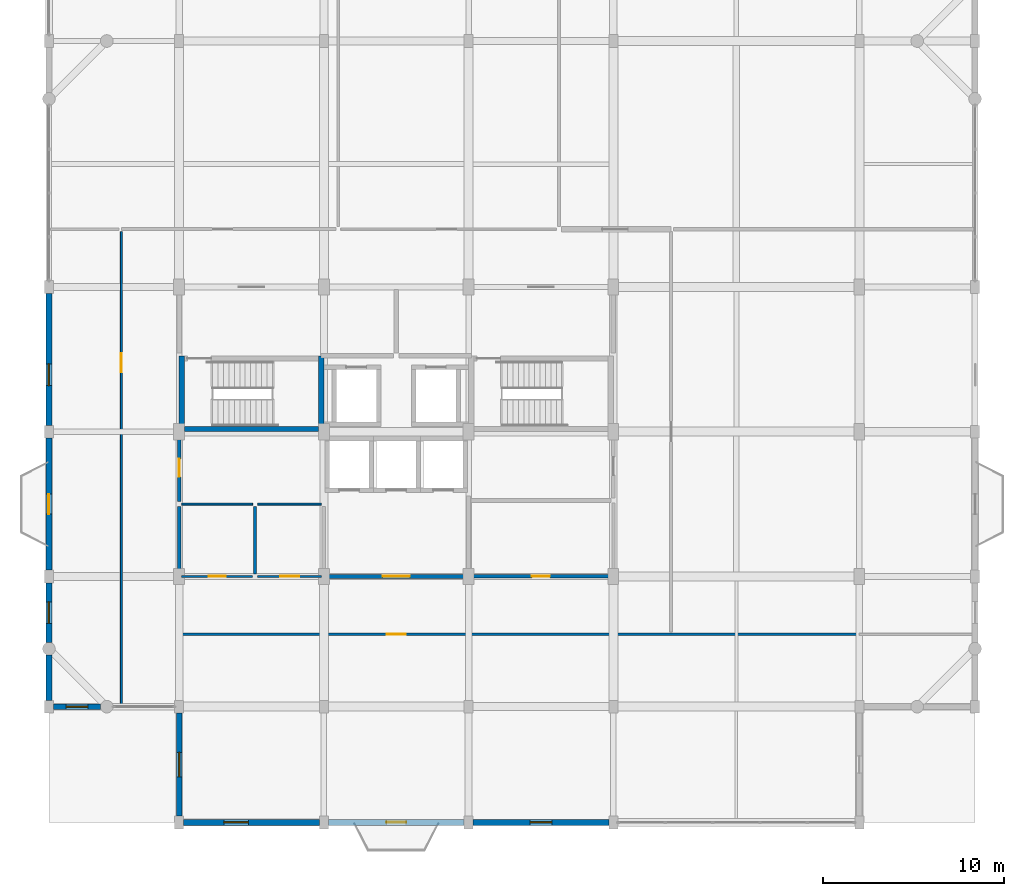
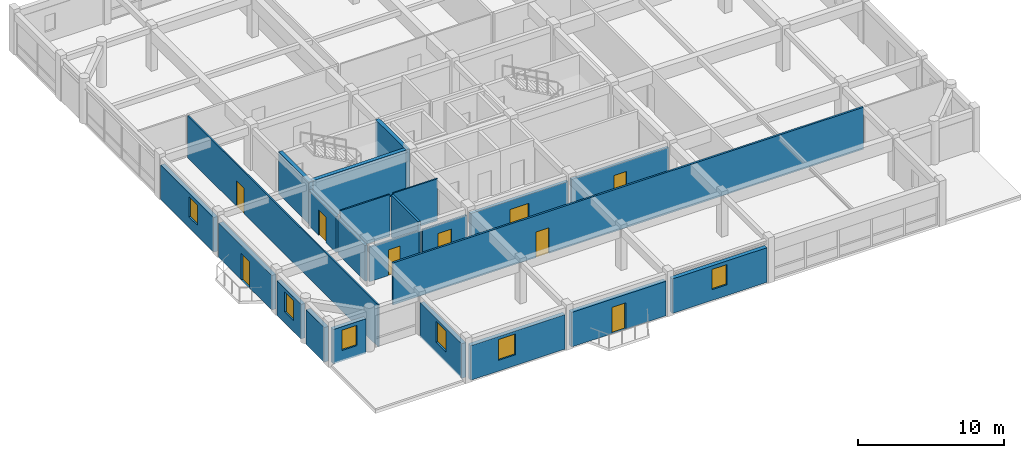
# One storey, part 10 of 14: 23 walls, 9 doors, 6 windows, 15 openings.
"""IFC4 building model written with IfcOpenShell, lengths in metres."""

from ifc_helpers import new_model, si_unit, direction, frame, frame_2d, origin, place, context, subcontext, project, spatial, rectangle, extrude, material, layer, layer_set, type_object, element, fill, save


model = new_model("IFC4")

# Units and contexts
model_context = context("Model", 3, precision=1e-05, world=origin(), true_north=direction((0.0, 1.0)))
body_context = subcontext(model_context, "Body", "Model", "MODEL_VIEW")
ifc_project = project(units=[si_unit("LENGTHUNIT", "METRE"), si_unit("AREAUNIT", "SQUARE_METRE"), si_unit("VOLUMEUNIT", "CUBIC_METRE"), si_unit("PLANEANGLEUNIT", "RADIAN"), si_unit("MASSUNIT", "GRAM", prefix="KILO")], contexts=[model_context])

# Site, building, storey
site_placement = place(None, origin())
site = spatial("IfcSite", under=ifc_project, at=site_placement, CompositionType="ELEMENT")
building_placement = place(site_placement, origin())
building = spatial("IfcBuilding", under=site, at=building_placement, Name="Vellmiral Cinema and Media Centre", CompositionType="ELEMENT")
storey_placement = place(building_placement, frame((0.0, 0.0, 47.10009765625)))
storey = spatial("IfcBuildingStorey", under=building, at=storey_placement, Name="L11", CompositionType="ELEMENT", Elevation=47.10009765625)

# Wall, opening, door
ifc_material_1 = material(Name="Concrete C40/50", Category="concrete")
ifc_layer_1 = layer(ifc_material_1, 0.2099609375, Name="Concrete C40/50")
ifc_layer_set_1 = layer_set([ifc_layer_1], Name="Concrete C40/50")
wall_type_1 = type_object("IfcWallType", Name="WL-COMP-210", PredefinedType="SOLIDWALL", material=ifc_layer_set_1)
wall_1_placement = place(storey_placement, frame((124.0, 83.340087890625, 0.0), z_axis=(0.0, 0.0, 1.0), x_axis=(0.0, 1.0, 0.0)))
wall_1 = element("IfcWall", 1, at=wall_1_placement, inside=storey, type_object=wall_type_1, Name="Electrical and Telecom Riser Room Wall W", PredefinedType="SOLIDWALL", context=body_context, shape_type="SweptSolid", body=[
    extrude(rectangle(XDim=3.719970703125, YDim=0.2099609375, at=frame_2d((1.85986328125, 0.0))), origin(), (0.0, 0.0, 1.0), 2.994873046875),
])
opening_1_placement = place(wall_1_placement, frame((1.360107421875, 0.0, 0.0)))
opening_1 = element("IfcOpeningElement", 2, at=opening_1_placement, cuts=wall_1, Name="Opening D-FD30B", PredefinedType="OPENING", context=body_context, shape_type="SweptSolid", body=[
    extrude(rectangle(XDim=1.0, YDim=2.14990234375, at=frame_2d((0.5, 1.074951171875))), frame((0.0, 0.116943359375, 0.0), z_axis=(0.0, -1.0, 0.0), x_axis=(1.0, 0.0, 0.0)), (0.0, 0.0, 1.0), 0.23388671875),
])
ifc_material_2 = material(Name="Steel Riser Fire Door", Category="steel")
door_type_1 = type_object("IfcDoorType", Name="DR-FD30-1000x2150", OperationType="NOTDEFINED", PredefinedType="DOOR", material=ifc_material_2)
door_1_placement = place(opening_1_placement, frame((1.0, 0.0, 0.0), z_axis=(0.0, 0.0, 1.0), x_axis=(-1.0, 0.0, 0.0)))
door_1 = element("IfcDoor", 3, at=door_1_placement, inside=storey, type_object=door_type_1, Name="Electrical and Telecom Riser Room Door", OperationType="SINGLE_SWING_LEFT", OverallHeight=2.14990234375, OverallWidth=1.0, PredefinedType="DOOR", context=body_context, shape_type="SweptSolid", body=[
    extrude(rectangle(XDim=1.0, YDim=2.14990234375, at=frame_2d((0.5, 1.074951171875))), frame((0.0, 0.02490234375, 0.0), z_axis=(0.0, -1.0, 0.0), x_axis=(1.0, 0.0, 0.0)), (0.0, 0.0, 1.0), 0.050048828125),
])
fill(opening_1, door_1)

# Walls
ifc_material_3 = material(Name="Concrete C40/50", Category="concrete")
ifc_layer_2 = layer(ifc_material_3, 0.300048828125, Name="Concrete C40/50")
ifc_layer_set_2 = layer_set([ifc_layer_2], Name="Concrete C40/50")
wall_type_2 = type_object("IfcWallType", Name="WL-CORE-300", PredefinedType="SHEAR", material=ifc_layer_set_2)
for number, where, z_axis, x_axis, name in (
    (4, (124.14990234375, 87.199951171875, 0.0), (0.0, 0.0, 1.0), (0.0, 1.0, 0.0), "Stair Core Wall ST-T1 L11-W"),
    (5, (131.85009765625, 87.199951171875, 0.0), (0.0, 0.0, 1.0), (0.0, 1.0, 0.0), "Stair Core Wall ST-T1 L11-E"),
):
    element("IfcWall", number, at=place(storey_placement, frame(where, z_axis=z_axis, x_axis=x_axis)), inside=storey, type_object=wall_type_2, Name=name, PredefinedType="SHEAR", context=body_context, shape_type="SweptSolid", body=[
        extrude(rectangle(XDim=4.199951171875, YDim=0.300048828125, at=frame_2d((2.10009765625, 0.0))), origin(), (0.0, 0.0, 1.0), 3.52001953125),
    ])
wall_2_placement = place(storey_placement, frame((124.300048828125, 87.35009765625, 0.0), z_axis=(0.0, 0.0, 1.0), x_axis=(1.0, 0.0, 0.0)))
element("IfcWall", 6, at=wall_2_placement, inside=storey, type_object=wall_type_2, Name="Stair Core Wall ST-T1 L11-S", PredefinedType="SHEAR", context=body_context, shape_type="SweptSolid", body=[
    extrude(rectangle(XDim=7.39990234375, YDim=0.300048828125, at=frame_2d((3.699951171875, 0.0))), origin(), (0.0, 0.0, 1.0), 3.52001953125),
])

# Wall, opening, window
ifc_material_4 = material(Name="Polychrome Glazed Ceramic Cladding", Category="masonry")
ifc_layer_3 = layer(ifc_material_4, 0.320068359375, Name="Polychrome Glazed Ceramic Cladding")
ifc_layer_set_3 = layer_set([ifc_layer_3], Name="Polychrome Glazed Ceramic Cladding")
wall_type_3 = type_object("IfcWallType", Name="WL-EXT-BRICK-320", PredefinedType="SOLIDWALL", material=ifc_layer_set_3)
wall_3_placement = place(storey_placement, frame((124.25, 65.60009765625, 0.0), z_axis=(0.0, 0.0, 1.0), x_axis=(1.0, 0.0, 0.0)))
wall_3 = element("IfcWall", 7, at=wall_3_placement, inside=storey, type_object=wall_type_3, Name="Exterior Facade Wall L11-001", PredefinedType="SOLIDWALL", context=body_context, shape_type="SweptSolid", body=[
    extrude(rectangle(XDim=7.5, YDim=0.320068359375, at=frame_2d((3.75, 0.0))), origin(), (0.0, 0.0, 1.0), 2.89990234375),
])
opening_2_placement = place(wall_3_placement, frame((2.22509765625, 0.0, 0.89990234375)))
opening_2 = element("IfcOpeningElement", 8, at=opening_2_placement, cuts=wall_3, Name="Opening WN-08", PredefinedType="OPENING", context=body_context, shape_type="SweptSolid", body=[
    extrude(rectangle(XDim=1.35009765625, YDim=1.75, at=frame_2d((0.675048828125, 0.875))), frame((0.0, 0.171875, 0.0), z_axis=(0.0, -1.0, 0.0), x_axis=(1.0, 0.0, 0.0)), (0.0, 0.0, 1.0), 0.343994140625),
])
ifc_material_5 = material(Name="Thermally Broken Aluminium Triple Glazing", Category="aluminium")
window_type_1 = type_object("IfcWindowType", Name="WN-1350x1750", PartitioningType="SINGLE_PANEL", PredefinedType="WINDOW", material=ifc_material_5)
window_1_placement = place(opening_2_placement, origin())
window_1 = element("IfcWindow", 9, at=window_1_placement, inside=storey, type_object=window_type_1, Name="Window L11-001", OverallHeight=1.75, OverallWidth=1.35009765625, PartitioningType="SINGLE_PANEL", PredefinedType="WINDOW", context=body_context, shape_type="SweptSolid", body=[
    extrude(rectangle(XDim=1.35009765625, YDim=1.75, at=frame_2d((0.675048828125, 0.875))), frame((0.0, 0.030029296875, 0.0), z_axis=(0.0, -1.0, 0.0), x_axis=(1.0, 0.0, 0.0)), (0.0, 0.0, 1.0), 0.06005859375),
])
fill(opening_2, window_1)

wall_4_placement = place(storey_placement, frame((140.25, 65.60009765625, 0.0), z_axis=(0.0, 0.0, 1.0), x_axis=(1.0, 0.0, 0.0)))
wall_4 = element("IfcWall", 10, at=wall_4_placement, inside=storey, type_object=wall_type_3, Name="Exterior Facade Wall L11-003", PredefinedType="SOLIDWALL", context=body_context, shape_type="SweptSolid", body=[
    extrude(rectangle(XDim=7.5, YDim=0.320068359375, at=frame_2d((3.75, 0.0))), origin(), (0.0, 0.0, 1.0), 2.89990234375),
])
opening_3_placement = place(wall_4_placement, frame((3.14990234375, 0.0, 0.89990234375)))
opening_3 = element("IfcOpeningElement", 11, at=opening_3_placement, cuts=wall_4, Name="Opening WN-10", PredefinedType="OPENING", context=body_context, shape_type="SweptSolid", body=[
    extrude(rectangle(XDim=1.199951171875, YDim=1.699951171875, at=frame_2d((0.60009765625, 0.85009765625))), frame((0.0, 0.171875, 0.0), z_axis=(0.0, -1.0, 0.0), x_axis=(1.0, 0.0, 0.0)), (0.0, 0.0, 1.0), 0.343994140625),
])
ifc_material_6 = material(Name="Thermally Broken Aluminium Triple Glazing", Category="aluminium")
window_type_2 = type_object("IfcWindowType", Name="WN-1200x1700", PartitioningType="SINGLE_PANEL", PredefinedType="WINDOW", material=ifc_material_6)
window_2_placement = place(opening_3_placement, origin())
window_2 = element("IfcWindow", 12, at=window_2_placement, inside=storey, type_object=window_type_2, Name="Window L11-003", OverallHeight=1.699951171875, OverallWidth=1.199951171875, PartitioningType="SINGLE_PANEL", PredefinedType="WINDOW", context=body_context, shape_type="SweptSolid", body=[
    extrude(rectangle(XDim=1.199951171875, YDim=1.699951171875, at=frame_2d((0.60009765625, 0.85009765625))), frame((0.0, 0.030029296875, 0.0), z_axis=(0.0, -1.0, 0.0), x_axis=(1.0, 0.0, 0.0)), (0.0, 0.0, 1.0), 0.06005859375),
])
fill(opening_3, window_2)

wall_5_placement = place(storey_placement, frame((116.800048828125, 94.85009765625, 0.0), z_axis=(0.0, 0.0, 1.0), x_axis=(0.0, -1.0, 0.0)))
wall_5 = element("IfcWall", 13, at=wall_5_placement, inside=storey, type_object=wall_type_3, Name="Exterior Facade Wall L11-025", PredefinedType="SOLIDWALL", context=body_context, shape_type="SweptSolid", body=[
    extrude(rectangle(XDim=7.300048828125, YDim=0.320068359375, at=frame_2d((3.64990234375, 0.0))), origin(), (0.0, 0.0, 1.0), 2.89990234375),
])
opening_4_placement = place(wall_5_placement, frame((3.89990234375, 0.0, 0.89990234375)))
opening_4 = element("IfcOpeningElement", 14, at=opening_4_placement, cuts=wall_5, Name="Opening WN-10", PredefinedType="OPENING", context=body_context, shape_type="SweptSolid", body=[
    extrude(rectangle(XDim=1.199951171875, YDim=1.699951171875, at=frame_2d((0.60009765625, 0.85009765625))), frame((0.0, 0.171875, 0.0), z_axis=(0.0, -1.0, 0.0), x_axis=(1.0, 0.0, 0.0)), (0.0, 0.0, 1.0), 0.343994140625),
])
window_3_placement = place(opening_4_placement, origin())
window_3 = element("IfcWindow", 15, at=window_3_placement, inside=storey, type_object=window_type_2, Name="Window L11-025", OverallHeight=1.699951171875, OverallWidth=1.199951171875, PartitioningType="SINGLE_PANEL", PredefinedType="WINDOW", context=body_context, shape_type="SweptSolid", body=[
    extrude(rectangle(XDim=1.199951171875, YDim=1.699951171875, at=frame_2d((0.60009765625, 0.85009765625))), frame((0.0, 0.030029296875, 0.0), z_axis=(0.0, -1.0, 0.0), x_axis=(1.0, 0.0, 0.0)), (0.0, 0.0, 1.0), 0.06005859375),
])
fill(opening_4, window_3)

wall_6_placement = place(storey_placement, frame((116.800048828125, 78.85009765625, 0.0), z_axis=(0.0, 0.0, 1.0), x_axis=(0.0, -1.0, 0.0)))
wall_6 = element("IfcWall", 16, at=wall_6_placement, inside=storey, type_object=wall_type_3, Name="Exterior Facade Wall L11-027", PredefinedType="SOLIDWALL", context=body_context, shape_type="SweptSolid", body=[
    extrude(rectangle(XDim=3.300048828125, YDim=0.320068359375, at=frame_2d((1.64990234375, 0.0))), origin(), (0.0, 0.0, 1.0), 2.89990234375),
])
opening_5_placement = place(wall_6_placement, frame((1.050048828125, 0.0, 0.89990234375)))
opening_5 = element("IfcOpeningElement", 17, at=opening_5_placement, cuts=wall_6, Name="Opening WN-10", PredefinedType="OPENING", context=body_context, shape_type="SweptSolid", body=[
    extrude(rectangle(XDim=1.199951171875, YDim=1.699951171875, at=frame_2d((0.60009765625, 0.85009765625))), frame((0.0, 0.171875, 0.0), z_axis=(0.0, -1.0, 0.0), x_axis=(1.0, 0.0, 0.0)), (0.0, 0.0, 1.0), 0.343994140625),
])
window_4_placement = place(opening_5_placement, origin())
window_4 = element("IfcWindow", 18, at=window_4_placement, inside=storey, type_object=window_type_2, Name="Window L11-027", OverallHeight=1.699951171875, OverallWidth=1.199951171875, PartitioningType="SINGLE_PANEL", PredefinedType="WINDOW", context=body_context, shape_type="SweptSolid", body=[
    extrude(rectangle(XDim=1.199951171875, YDim=1.699951171875, at=frame_2d((0.60009765625, 0.85009765625))), frame((0.0, 0.030029296875, 0.0), z_axis=(0.0, -1.0, 0.0), x_axis=(1.0, 0.0, 0.0)), (0.0, 0.0, 1.0), 0.06005859375),
])
fill(opening_5, window_4)

wall_7_placement = place(storey_placement, frame((117.050048828125, 72.0, 0.0), z_axis=(0.0, 0.0, 1.0), x_axis=(1.0, 0.0, 0.0)))
wall_7 = element("IfcWall", 19, at=wall_7_placement, inside=storey, type_object=wall_type_3, Name="Exterior Facade Wall L11-029", PredefinedType="SOLIDWALL", context=body_context, shape_type="SweptSolid", body=[
    extrude(rectangle(XDim=2.599853515625, YDim=0.320068359375, at=frame_2d((1.2998046875, 0.0))), origin(), (0.0, 0.0, 1.0), 2.89990234375),
])
opening_6_placement = place(wall_7_placement, frame((0.699951171875, 0.0, 0.89990234375)))
opening_6 = element("IfcOpeningElement", 20, at=opening_6_placement, cuts=wall_7, Name="Opening WN-10", PredefinedType="OPENING", context=body_context, shape_type="SweptSolid", body=[
    extrude(rectangle(XDim=1.199951171875, YDim=1.699951171875, at=frame_2d((0.60009765625, 0.85009765625))), frame((0.0, 0.171875, 0.0), z_axis=(0.0, -1.0, 0.0), x_axis=(1.0, 0.0, 0.0)), (0.0, 0.0, 1.0), 0.343994140625),
])
window_5_placement = place(opening_6_placement, origin())
window_5 = element("IfcWindow", 21, at=window_5_placement, inside=storey, type_object=window_type_2, Name="Window L11-029", OverallHeight=1.699951171875, OverallWidth=1.199951171875, PartitioningType="SINGLE_PANEL", PredefinedType="WINDOW", context=body_context, shape_type="SweptSolid", body=[
    extrude(rectangle(XDim=1.199951171875, YDim=1.699951171875, at=frame_2d((0.60009765625, 0.85009765625))), frame((0.0, 0.030029296875, 0.0), z_axis=(0.0, -1.0, 0.0), x_axis=(1.0, 0.0, 0.0)), (0.0, 0.0, 1.0), 0.06005859375),
])
fill(opening_6, window_5)

wall_8_placement = place(storey_placement, frame((124.0, 71.64990234375, 0.0), z_axis=(0.0, 0.0, 1.0), x_axis=(0.0, -1.0, 0.0)))
wall_8 = element("IfcWall", 22, at=wall_8_placement, inside=storey, type_object=wall_type_3, Name="Exterior Facade Wall L11-031", PredefinedType="SOLIDWALL", context=body_context, shape_type="SweptSolid", body=[
    extrude(rectangle(XDim=5.699951171875, YDim=0.320068359375, at=frame_2d((2.85009765625, 0.0))), origin(), (0.0, 0.0, 1.0), 2.89990234375),
])
opening_7_placement = place(wall_8_placement, frame((2.175048828125, 0.0, 0.89990234375)))
opening_7 = element("IfcOpeningElement", 23, at=opening_7_placement, cuts=wall_8, Name="Opening WN-08", PredefinedType="OPENING", context=body_context, shape_type="SweptSolid", body=[
    extrude(rectangle(XDim=1.35009765625, YDim=1.75, at=frame_2d((0.675048828125, 0.875))), frame((0.0, 0.171875, 0.0), z_axis=(0.0, -1.0, 0.0), x_axis=(1.0, 0.0, 0.0)), (0.0, 0.0, 1.0), 0.343994140625),
])
window_6_placement = place(opening_7_placement, origin())
window_6 = element("IfcWindow", 24, at=window_6_placement, inside=storey, type_object=window_type_1, Name="Window L11-031", OverallHeight=1.75, OverallWidth=1.35009765625, PartitioningType="SINGLE_PANEL", PredefinedType="WINDOW", context=body_context, shape_type="SweptSolid", body=[
    extrude(rectangle(XDim=1.35009765625, YDim=1.75, at=frame_2d((0.675048828125, 0.875))), frame((0.0, 0.030029296875, 0.0), z_axis=(0.0, -1.0, 0.0), x_axis=(1.0, 0.0, 0.0)), (0.0, 0.0, 1.0), 0.06005859375),
])
fill(opening_7, window_6)

# Wall, opening, door
ifc_material_7 = material(Name="Vosges Red Sandstone Masonry", Category="masonry")
ifc_layer_4 = layer(ifc_material_7, 0.340087890625, Name="Vosges Red Sandstone Masonry")
ifc_layer_set_4 = layer_set([ifc_layer_4], Name="Vosges Red Sandstone Masonry")
wall_type_4 = type_object("IfcWallType", Name="WL-EXT-SAND-340", PredefinedType="SOLIDWALL", material=ifc_layer_set_4)
wall_9_placement = place(storey_placement, frame((132.25, 65.60009765625, 0.0), z_axis=(0.0, 0.0, 1.0), x_axis=(1.0, 0.0, 0.0)))
wall_9 = element("IfcWall", 25, at=wall_9_placement, inside=storey, type_object=wall_type_4, Name="Exterior Facade Wall L11-002", PredefinedType="SOLIDWALL", context=body_context, shape_type="SweptSolid", body=[
    extrude(rectangle(XDim=7.5, YDim=0.340087890625, at=frame_2d((3.75, 0.0))), origin(), (0.0, 0.0, 1.0), 2.89990234375),
])
opening_8_placement = place(wall_9_placement, frame((3.199951171875, 0.0, 0.0)))
opening_8 = element("IfcOpeningElement", 26, at=opening_8_placement, cuts=wall_9, Name="Opening DE-06", PredefinedType="OPENING", context=body_context, shape_type="SweptSolid", body=[
    extrude(rectangle(XDim=1.10009765625, YDim=2.199951171875, at=frame_2d((0.550048828125, 1.10009765625))), frame((0.0, 0.18212890625, 0.0), z_axis=(0.0, -1.0, 0.0), x_axis=(1.0, 0.0, 0.0)), (0.0, 0.0, 1.0), 0.364013671875),
])
ifc_material_8 = material(Name="Thermally Broken Glazed Aluminium and Bronze Door", Category="aluminium")
door_type_2 = type_object("IfcDoorType", Name="DR-MIRA-1100x2200", OperationType="NOTDEFINED", PredefinedType="DOOR", material=ifc_material_8)
door_2_placement = place(opening_8_placement, frame((1.10009765625, 0.0, 0.0), z_axis=(0.0, 0.0, 1.0), x_axis=(-1.0, 0.0, 0.0)))
door_2 = element("IfcDoor", 27, at=door_2_placement, inside=storey, type_object=door_type_2, Name="Mirador Balcony Door L11-S", OperationType="SINGLE_SWING_RIGHT", OverallHeight=2.199951171875, OverallWidth=1.10009765625, PredefinedType="DOOR", context=body_context, shape_type="SweptSolid", body=[
    extrude(rectangle(XDim=1.10009765625, YDim=2.199951171875, at=frame_2d((0.550048828125, 1.10009765625))), frame((0.0, 0.02490234375, 0.0), z_axis=(0.0, -1.0, 0.0), x_axis=(1.0, 0.0, 0.0)), (0.0, 0.0, 1.0), 0.050048828125),
])
fill(opening_8, door_2)

wall_10_placement = place(storey_placement, frame((116.800048828125, 86.85009765625, 0.0), z_axis=(0.0, 0.0, 1.0), x_axis=(0.0, -1.0, 0.0)))
wall_10 = element("IfcWall", 28, at=wall_10_placement, inside=storey, type_object=wall_type_4, Name="Exterior Facade Wall L11-026", PredefinedType="SOLIDWALL", context=body_context, shape_type="SweptSolid", body=[
    extrude(rectangle(XDim=7.300048828125, YDim=0.340087890625, at=frame_2d((3.64990234375, 0.0))), origin(), (0.0, 0.0, 1.0), 2.89990234375),
])
opening_9_placement = place(wall_10_placement, frame((3.10009765625, 0.0, 0.0)))
opening_9 = element("IfcOpeningElement", 29, at=opening_9_placement, cuts=wall_10, Name="Opening DE-06", PredefinedType="OPENING", context=body_context, shape_type="SweptSolid", body=[
    extrude(rectangle(XDim=1.10009765625, YDim=2.199951171875, at=frame_2d((0.550048828125, 1.10009765625))), frame((0.0, 0.18212890625, 0.0), z_axis=(0.0, -1.0, 0.0), x_axis=(1.0, 0.0, 0.0)), (0.0, 0.0, 1.0), 0.364013671875),
])
door_3_placement = place(opening_9_placement, frame((1.10009765625, 0.0, 0.0), z_axis=(0.0, 0.0, 1.0), x_axis=(-1.0, 0.0, 0.0)))
door_3 = element("IfcDoor", 30, at=door_3_placement, inside=storey, type_object=door_type_2, Name="Mirador Balcony Door L11-W", OperationType="SINGLE_SWING_RIGHT", OverallHeight=2.199951171875, OverallWidth=1.10009765625, PredefinedType="DOOR", context=body_context, shape_type="SweptSolid", body=[
    extrude(rectangle(XDim=1.10009765625, YDim=2.199951171875, at=frame_2d((0.550048828125, 1.10009765625))), frame((0.0, 0.02490234375, 0.0), z_axis=(0.0, -1.0, 0.0), x_axis=(1.0, 0.0, 0.0)), (0.0, 0.0, 1.0), 0.050048828125),
])
fill(opening_9, door_3)

# Wall
wall_11_placement = place(storey_placement, frame((116.800048828125, 74.85009765625, 0.0), z_axis=(0.0, 0.0, 1.0), x_axis=(0.0, -1.0, 0.0)))
element("IfcWall", 31, at=wall_11_placement, inside=storey, type_object=wall_type_4, Name="Exterior Facade Wall L11-028", PredefinedType="SOLIDWALL", context=body_context, shape_type="SweptSolid", body=[
    extrude(rectangle(XDim=2.5, YDim=0.340087890625, at=frame_2d((1.25, 0.0))), origin(), (0.0, 0.0, 1.0), 2.89990234375),
])

# Wall, opening, door
ifc_material_9 = material(Name="Concrete C40/50", Category="concrete")
ifc_layer_5 = layer(ifc_material_9, 0.22998046875, Name="Concrete C40/50")
ifc_layer_set_5 = layer_set([ifc_layer_5], Name="Concrete C40/50")
wall_type_5 = type_object("IfcWallType", Name="WL-FFL-230", PredefinedType="SOLIDWALL", material=ifc_layer_set_5)
wall_12_placement = place(storey_placement, frame((132.139892578125, 79.199951171875, 0.0), z_axis=(0.0, 0.0, 1.0), x_axis=(1.0, 0.0, 0.0)))
wall_12 = element("IfcWall", 32, at=wall_12_placement, inside=storey, type_object=wall_type_5, Name="Tower Passenger Lift Lobby Wall S", PredefinedType="SOLIDWALL", context=body_context, shape_type="SweptSolid", body=[
    extrude(rectangle(XDim=7.72021484375, YDim=0.22998046875, at=frame_2d((3.860107421875, 0.0))), origin(), (0.0, 0.0, 1.0), 2.94482421875),
])
opening_10_placement = place(wall_12_placement, frame((3.110107421875, 0.0, 0.0)))
opening_10 = element("IfcOpeningElement", 33, at=opening_10_placement, cuts=wall_12, Name="Opening D-FD30", PredefinedType="OPENING", context=body_context, shape_type="SweptSolid", body=[
    extrude(rectangle(XDim=1.5, YDim=2.199951171875, at=frame_2d((0.75, 1.10009765625))), frame((0.0, 0.126953125, 0.0), z_axis=(0.0, -1.0, 0.0), x_axis=(1.0, 0.0, 0.0)), (0.0, 0.0, 1.0), 0.25390625),
])
ifc_material_10 = material(Name="Timber-Core Fire Door", Category="wood")
door_type_3 = type_object("IfcDoorType", Name="DR-FD30-1500x2200", OperationType="DOUBLE_DOOR_SINGLE_SWING", PredefinedType="DOOR", material=ifc_material_10)
door_4_placement = place(opening_10_placement, frame((1.5, 0.0, 0.0), z_axis=(0.0, 0.0, 1.0), x_axis=(-1.0, 0.0, 0.0)))
door_4 = element("IfcDoor", 34, at=door_4_placement, inside=storey, type_object=door_type_3, Name="Tower Passenger Lift Lobby Door", OperationType="DOUBLE_DOOR_SINGLE_SWING", OverallHeight=2.199951171875, OverallWidth=1.5, PredefinedType="DOOR", context=body_context, shape_type="SweptSolid", body=[
    extrude(rectangle(XDim=1.5, YDim=2.199951171875, at=frame_2d((0.75, 1.10009765625))), frame((0.0, 0.02490234375, 0.0), z_axis=(0.0, -1.0, 0.0), x_axis=(1.0, 0.0, 0.0)), (0.0, 0.0, 1.0), 0.050048828125),
])
fill(opening_10, door_4)

# Walls
ifc_material_11 = material(Name="Gypsum Plasterboard")
ifc_layer_6 = layer(ifc_material_11, 0.02490234375, Name="Gypsum Plasterboard", Category="gypsum")
ifc_material_12 = material(Name="Mineral Wool Acoustic Insulation", Category="insulation")
ifc_layer_7 = layer(ifc_material_12, 0.06005859375, Name="Mineral Wool Acoustic Insulation", Category="insulation")
ifc_layer_8 = layer(ifc_material_11, 0.02490234375, Name="Gypsum Plasterboard", Category="gypsum")
ifc_layer_set_6 = layer_set([ifc_layer_6, ifc_layer_7, ifc_layer_8], Name="Gypsum Plasterboard")
wall_type_6 = type_object("IfcWallType", Name="WL-PART-110", PredefinedType="PARTITIONING", material=ifc_layer_set_6)
wall_13_placement = place(storey_placement, frame((124.139892578125, 83.199951171875, 0.0), z_axis=(0.0, 0.0, 1.0), x_axis=(1.0, 0.0, 0.0)))
element("IfcWall", 35, at=wall_13_placement, inside=storey, type_object=wall_type_6, Name="Staff WC Wall N", PredefinedType="PARTITIONING", context=body_context, shape_type="SweptSolid", body=[
    extrude(rectangle(XDim=3.920166015625, YDim=0.110107421875, at=frame_2d((1.9599609375, 0.0))), origin(), (0.0, 0.0, 1.0), 3.52001953125),
])
wall_14_placement = place(storey_placement, frame((128.340087890625, 83.199951171875, 0.0), z_axis=(0.0, 0.0, 1.0), x_axis=(1.0, 0.0, 0.0)))
element("IfcWall", 36, at=wall_14_placement, inside=storey, type_object=wall_type_6, Name="Accessible WC Wall N", PredefinedType="PARTITIONING", context=body_context, shape_type="SweptSolid", body=[
    extrude(rectangle(XDim=3.52001953125, YDim=0.110107421875, at=frame_2d((1.760009765625, 0.0))), origin(), (0.0, 0.0, 1.0), 3.52001953125),
])

# Wall, opening, door
wall_15_placement = place(storey_placement, frame((120.800048828125, 72.094970703125, 0.0), z_axis=(0.0, 0.0, 1.0), x_axis=(0.0, 1.0, 0.0)))
wall_15 = element("IfcWall", 37, at=wall_15_placement, inside=storey, type_object=wall_type_6, Name="West Media Server Monitoring Office Wall E", PredefinedType="PARTITIONING", context=body_context, shape_type="SweptSolid", body=[
    extrude(rectangle(XDim=26.1650390625, YDim=0.110107421875, at=frame_2d((13.08251953125, 0.0))), origin(), (0.0, 0.0, 1.0), 3.52001953125),
])
opening_11_placement = place(wall_15_placement, frame((18.3798828125, 0.0, 0.0)))
opening_11 = element("IfcOpeningElement", 38, at=opening_11_placement, cuts=wall_15, Name="Opening D-I07", PredefinedType="OPENING", context=body_context, shape_type="SweptSolid", body=[
    extrude(rectangle(XDim=1.050048828125, YDim=2.14990234375, at=frame_2d((0.52490234375, 1.074951171875))), frame((0.0, 0.06689453125, 0.0), z_axis=(0.0, -1.0, 0.0), x_axis=(1.0, 0.0, 0.0)), (0.0, 0.0, 1.0), 0.134033203125),
])
ifc_material_13 = material(Name="Laminated Timber Door", Category="wood")
door_type_4 = type_object("IfcDoorType", Name="DR-INT-1050x2150", OperationType="NOTDEFINED", PredefinedType="DOOR", material=ifc_material_13)
door_5_placement = place(opening_11_placement, origin())
door_5 = element("IfcDoor", 39, at=door_5_placement, inside=storey, type_object=door_type_4, Name="West Media Server Monitoring Office Door", OperationType="SINGLE_SWING_RIGHT", OverallHeight=2.14990234375, OverallWidth=1.050048828125, PredefinedType="DOOR", context=body_context, shape_type="SweptSolid", body=[
    extrude(rectangle(XDim=1.050048828125, YDim=2.14990234375, at=frame_2d((0.52490234375, 1.074951171875))), frame((0.0, 0.02490234375, 0.0), z_axis=(0.0, -1.0, 0.0), x_axis=(1.0, 0.0, 0.0)), (0.0, 0.0, 1.0), 0.050048828125),
])
fill(opening_11, door_5)

ifc_material_14 = material(Name="Gypsum Plasterboard")
ifc_layer_9 = layer(ifc_material_14, 0.02490234375, Name="Gypsum Plasterboard", Category="gypsum")
ifc_material_15 = material(Name="Mineral Wool Acoustic Insulation", Category="insulation")
ifc_layer_10 = layer(ifc_material_15, 0.080078125, Name="Mineral Wool Acoustic Insulation", Category="insulation")
ifc_layer_11 = layer(ifc_material_14, 0.02490234375, Name="Gypsum Plasterboard", Category="gypsum")
ifc_layer_set_7 = layer_set([ifc_layer_9, ifc_layer_10, ifc_layer_11], Name="Gypsum Plasterboard")
wall_type_7 = type_object("IfcWallType", Name="WL-PART-130", PredefinedType="PARTITIONING", material=ifc_layer_set_7)
wall_16_placement = place(storey_placement, frame((124.139892578125, 79.199951171875, 0.0), z_axis=(0.0, 0.0, 1.0), x_axis=(1.0, 0.0, 0.0)))
wall_16 = element("IfcWall", 40, at=wall_16_placement, inside=storey, type_object=wall_type_7, Name="Staff WC Wall S", PredefinedType="PARTITIONING", context=body_context, shape_type="SweptSolid", body=[
    extrude(rectangle(XDim=3.920166015625, YDim=0.1298828125, at=frame_2d((1.9599609375, 0.0))), origin(), (0.0, 0.0, 1.0), 2.89501953125),
])
opening_12_placement = place(wall_16_placement, frame((1.485107421875, 0.0, 0.0)))
opening_12 = element("IfcOpeningElement", 41, at=opening_12_placement, cuts=wall_16, Name="Opening D-I09", PredefinedType="OPENING", context=body_context, shape_type="SweptSolid", body=[
    extrude(rectangle(XDim=0.949951171875, YDim=2.14990234375, at=frame_2d((0.47509765625, 1.074951171875))), frame((0.0, 0.076904296875, 0.0), z_axis=(0.0, -1.0, 0.0), x_axis=(1.0, 0.0, 0.0)), (0.0, 0.0, 1.0), 0.15380859375),
])
ifc_material_16 = material(Name="Moisture-Resistant Timber Door", Category="wood")
door_type_5 = type_object("IfcDoorType", Name="DR-INT-950x2150", OperationType="NOTDEFINED", PredefinedType="DOOR", material=ifc_material_16)
door_6_placement = place(opening_12_placement, origin())
door_6 = element("IfcDoor", 42, at=door_6_placement, inside=storey, type_object=door_type_5, Name="Staff WC Door", OperationType="SINGLE_SWING_LEFT", OverallHeight=2.14990234375, OverallWidth=0.949951171875, PredefinedType="DOOR", context=body_context, shape_type="SweptSolid", body=[
    extrude(rectangle(XDim=0.949951171875, YDim=2.14990234375, at=frame_2d((0.47509765625, 1.074951171875))), frame((0.0, 0.02490234375, 0.0), z_axis=(0.0, -1.0, 0.0), x_axis=(1.0, 0.0, 0.0)), (0.0, 0.0, 1.0), 0.050048828125),
])
fill(opening_12, door_6)

wall_17_placement = place(storey_placement, frame((128.340087890625, 79.199951171875, 0.0), z_axis=(0.0, 0.0, 1.0), x_axis=(1.0, 0.0, 0.0)))
wall_17 = element("IfcWall", 43, at=wall_17_placement, inside=storey, type_object=wall_type_7, Name="Accessible WC Wall S", PredefinedType="PARTITIONING", context=body_context, shape_type="SweptSolid", body=[
    extrude(rectangle(XDim=3.52001953125, YDim=0.1298828125, at=frame_2d((1.760009765625, 0.0))), origin(), (0.0, 0.0, 1.0), 2.89501953125),
])
opening_13_placement = place(wall_17_placement, frame((1.235107421875, 0.0, 0.0)))
opening_13 = element("IfcOpeningElement", 44, at=opening_13_placement, cuts=wall_17, Name="Opening D-I10", PredefinedType="OPENING", context=body_context, shape_type="SweptSolid", body=[
    extrude(rectangle(XDim=1.050048828125, YDim=2.14990234375, at=frame_2d((0.52490234375, 1.074951171875))), frame((0.0, 0.076904296875, 0.0), z_axis=(0.0, -1.0, 0.0), x_axis=(1.0, 0.0, 0.0)), (0.0, 0.0, 1.0), 0.15380859375),
])
ifc_material_17 = material(Name="Barrier-Free Timber Door", Category="wood")
door_type_6 = type_object("IfcDoorType", Name="DR-ACC-1050x2150", OperationType="NOTDEFINED", PredefinedType="DOOR", material=ifc_material_17)
door_7_placement = place(opening_13_placement, origin())
door_7 = element("IfcDoor", 45, at=door_7_placement, inside=storey, type_object=door_type_6, Name="Accessible WC Door", OperationType="SINGLE_SWING_RIGHT", OverallHeight=2.14990234375, OverallWidth=1.050048828125, PredefinedType="DOOR", context=body_context, shape_type="SweptSolid", body=[
    extrude(rectangle(XDim=1.050048828125, YDim=2.14990234375, at=frame_2d((0.52490234375, 1.074951171875))), frame((0.0, 0.02490234375, 0.0), z_axis=(0.0, -1.0, 0.0), x_axis=(1.0, 0.0, 0.0)), (0.0, 0.0, 1.0), 0.050048828125),
])
fill(opening_13, door_7)

ifc_material_18 = material(Name="Gypsum Plasterboard")
ifc_layer_12 = layer(ifc_material_18, 0.02490234375, Name="Gypsum Plasterboard", Category="gypsum")
ifc_material_19 = material(Name="Mineral Wool Acoustic Insulation", Category="insulation")
ifc_layer_13 = layer(ifc_material_19, 0.10009765625, Name="Mineral Wool Acoustic Insulation", Category="insulation")
ifc_layer_14 = layer(ifc_material_18, 0.02490234375, Name="Gypsum Plasterboard", Category="gypsum")
ifc_layer_set_8 = layer_set([ifc_layer_12, ifc_layer_13, ifc_layer_14], Name="Gypsum Plasterboard")
wall_type_8 = type_object("IfcWallType", Name="WL-PART-150", PredefinedType="PARTITIONING", material=ifc_layer_set_8)
wall_18_placement = place(storey_placement, frame((124.139892578125, 76.0, 0.0), z_axis=(0.0, 0.0, 1.0), x_axis=(1.0, 0.0, 0.0)))
wall_18 = element("IfcWall", 46, at=wall_18_placement, inside=storey, type_object=wall_type_8, Name="Digital Media Distribution Operations Hall Wall N", PredefinedType="PARTITIONING", context=body_context, shape_type="SweptSolid", body=[
    extrude(rectangle(XDim=37.320068359375, YDim=0.14990234375, at=frame_2d((18.66015625, 0.0))), origin(), (0.0, 0.0, 1.0), 3.52001953125),
])
opening_14_placement = place(wall_18_placement, frame((11.3349609375, 0.0, 0.0)))
opening_14 = element("IfcOpeningElement", 47, at=opening_14_placement, cuts=wall_18, Name="Opening D-I07", PredefinedType="OPENING", context=body_context, shape_type="SweptSolid", body=[
    extrude(rectangle(XDim=1.050048828125, YDim=2.14990234375, at=frame_2d((0.52490234375, 1.074951171875))), frame((0.0, 0.0869140625, 0.0), z_axis=(0.0, -1.0, 0.0), x_axis=(1.0, 0.0, 0.0)), (0.0, 0.0, 1.0), 0.173828125),
])
door_8_placement = place(opening_14_placement, frame((1.050048828125, 0.0, 0.0), z_axis=(0.0, 0.0, 1.0), x_axis=(-1.0, 0.0, 0.0)))
door_8 = element("IfcDoor", 48, at=door_8_placement, inside=storey, type_object=door_type_4, Name="Digital Media Distribution Operations Hall Door", OperationType="SINGLE_SWING_RIGHT", OverallHeight=2.14990234375, OverallWidth=1.050048828125, PredefinedType="DOOR", context=body_context, shape_type="SweptSolid", body=[
    extrude(rectangle(XDim=1.050048828125, YDim=2.14990234375, at=frame_2d((0.52490234375, 1.074951171875))), frame((0.0, 0.02490234375, 0.0), z_axis=(0.0, -1.0, 0.0), x_axis=(1.0, 0.0, 0.0)), (0.0, 0.0, 1.0), 0.050048828125),
])
fill(opening_14, door_8)

# Walls
ifc_material_20 = material(Name="Gypsum Plasterboard")
ifc_layer_15 = layer(ifc_material_20, 0.02490234375, Name="Gypsum Plasterboard", Category="gypsum")
ifc_material_21 = material(Name="Mineral Wool Acoustic Insulation", Category="insulation")
ifc_layer_16 = layer(ifc_material_21, 0.1201171875, Name="Mineral Wool Acoustic Insulation", Category="insulation")
ifc_layer_17 = layer(ifc_material_20, 0.02490234375, Name="Gypsum Plasterboard", Category="gypsum")
ifc_layer_set_9 = layer_set([ifc_layer_15, ifc_layer_16, ifc_layer_17], Name="Gypsum Plasterboard")
wall_type_9 = type_object("IfcWallType", Name="WL-PART-170", PredefinedType="PARTITIONING", material=ifc_layer_set_9)
wall_19_placement = place(storey_placement, frame((128.199951171875, 79.340087890625, 0.0), z_axis=(0.0, 0.0, 1.0), x_axis=(0.0, 1.0, 0.0)))
element("IfcWall", 49, at=wall_19_placement, inside=storey, type_object=wall_type_9, Name="Staff WC Wall E", PredefinedType="PARTITIONING", context=body_context, shape_type="SweptSolid", body=[
    extrude(rectangle(XDim=3.719970703125, YDim=0.169921875, at=frame_2d((1.85986328125, 0.0))), origin(), (0.0, 0.0, 1.0), 3.52001953125),
])
ifc_material_22 = material(Name="Gypsum Plasterboard")
ifc_layer_18 = layer(ifc_material_22, 0.02490234375, Name="Gypsum Plasterboard", Category="gypsum")
ifc_material_23 = material(Name="Mineral Wool Acoustic Insulation", Category="insulation")
ifc_layer_19 = layer(ifc_material_23, 0.139892578125, Name="Mineral Wool Acoustic Insulation", Category="insulation")
ifc_layer_20 = layer(ifc_material_22, 0.02490234375, Name="Gypsum Plasterboard", Category="gypsum")
ifc_layer_set_10 = layer_set([ifc_layer_18, ifc_layer_19, ifc_layer_20], Name="Gypsum Plasterboard")
wall_type_10 = type_object("IfcWallType", Name="WL-PART-190", PredefinedType="PARTITIONING", material=ifc_layer_set_10)
wall_20_placement = place(storey_placement, frame((124.0, 79.340087890625, 0.0), z_axis=(0.0, 0.0, 1.0), x_axis=(0.0, 1.0, 0.0)))
element("IfcWall", 50, at=wall_20_placement, inside=storey, type_object=wall_type_10, Name="Staff WC Wall W", PredefinedType="PARTITIONING", context=body_context, shape_type="SweptSolid", body=[
    extrude(rectangle(XDim=3.719970703125, YDim=0.18994140625, at=frame_2d((1.85986328125, 0.0))), origin(), (0.0, 0.0, 1.0), 2.994873046875),
])

# Wall, opening, door
wall_21_placement = place(storey_placement, frame((140.139892578125, 79.199951171875, 0.0), z_axis=(0.0, 0.0, 1.0), x_axis=(1.0, 0.0, 0.0)))
wall_21 = element("IfcWall", 51, at=wall_21_placement, inside=storey, type_object=wall_type_10, Name="Cleaner and Media Supply Store Wall S", PredefinedType="PARTITIONING", context=body_context, shape_type="SweptSolid", body=[
    extrude(rectangle(XDim=7.72021484375, YDim=0.18994140625, at=frame_2d((3.860107421875, 0.0))), origin(), (0.0, 0.0, 1.0), 2.994873046875),
])
opening_15_placement = place(wall_21_placement, frame((3.360107421875, 0.0, 0.0)))
opening_15 = element("IfcOpeningElement", 52, at=opening_15_placement, cuts=wall_21, Name="Opening D-I08", PredefinedType="OPENING", context=body_context, shape_type="SweptSolid", body=[
    extrude(rectangle(XDim=1.0, YDim=2.14990234375, at=frame_2d((0.5, 1.074951171875))), frame((0.0, 0.10693359375, 0.0), z_axis=(0.0, -1.0, 0.0), x_axis=(1.0, 0.0, 0.0)), (0.0, 0.0, 1.0), 0.2138671875),
])
ifc_material_24 = material(Name="Laminated Timber Door", Category="wood")
door_type_7 = type_object("IfcDoorType", Name="DR-INT-1000x2150", OperationType="NOTDEFINED", PredefinedType="DOOR", material=ifc_material_24)
door_9_placement = place(opening_15_placement, origin())
door_9 = element("IfcDoor", 53, at=door_9_placement, inside=storey, type_object=door_type_7, Name="Cleaner and Media Supply Store Door", OperationType="SINGLE_SWING_RIGHT", OverallHeight=2.14990234375, OverallWidth=1.0, PredefinedType="DOOR", context=body_context, shape_type="SweptSolid", body=[
    extrude(rectangle(XDim=1.0, YDim=2.14990234375, at=frame_2d((0.5, 1.074951171875))), frame((0.0, 0.02490234375, 0.0), z_axis=(0.0, -1.0, 0.0), x_axis=(1.0, 0.0, 0.0)), (0.0, 0.0, 1.0), 0.050048828125),
])
fill(opening_15, door_9)

save(model, "model.ifc")
